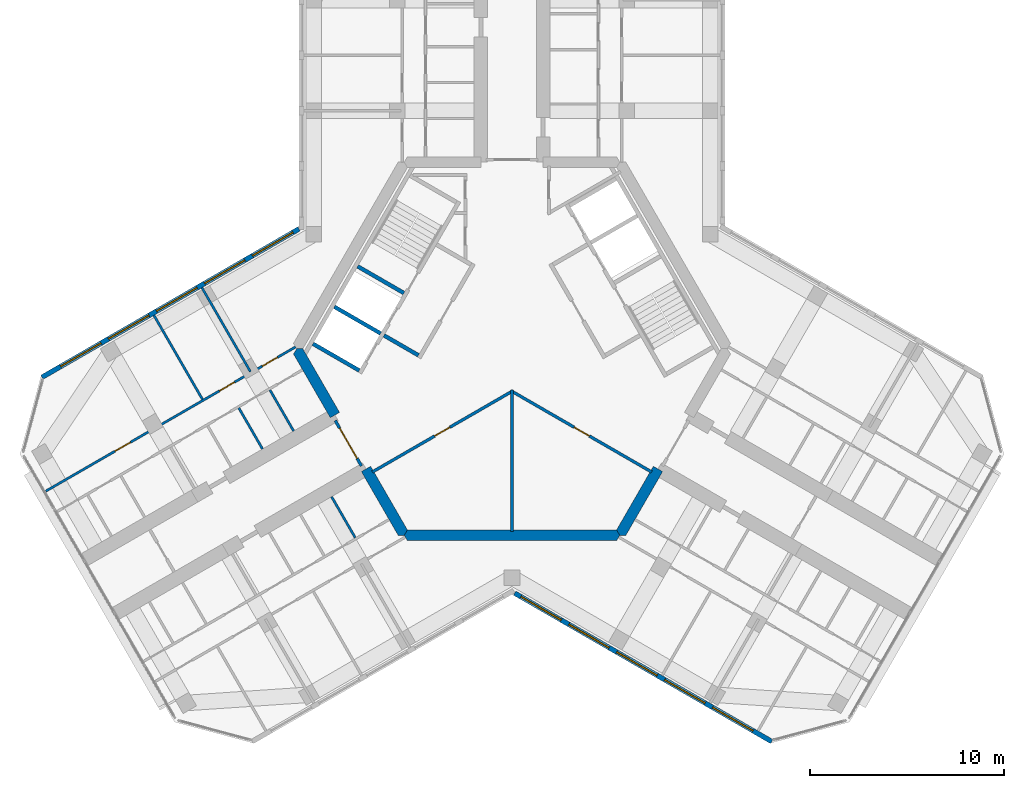
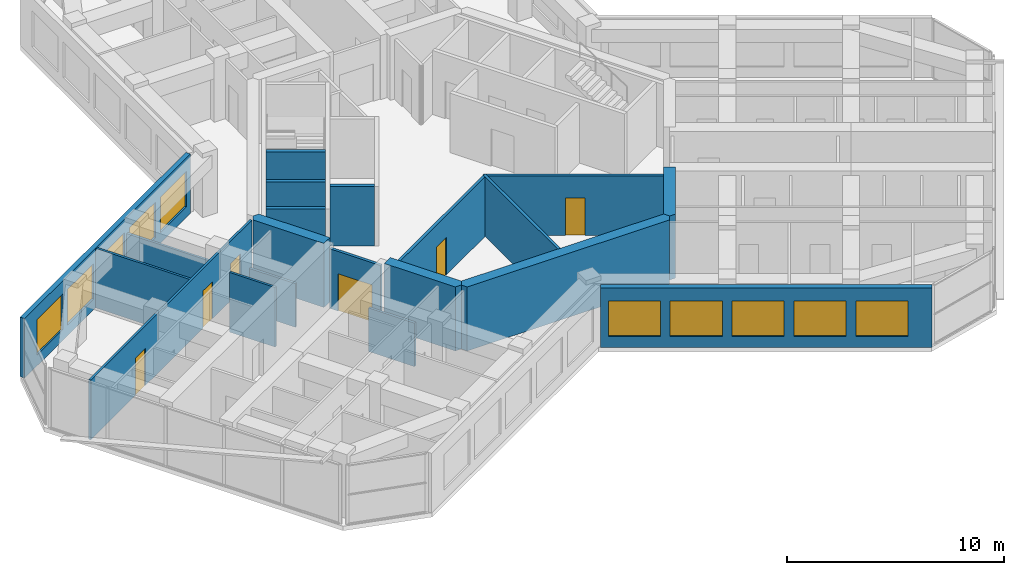
# One storey, part 8 of 14: 20 walls, 10 windows, 6 doors, 16 openings.
"""IFC4 building model written with IfcOpenShell, lengths in metres."""

from ifc_helpers import new_model, si_unit, direction, frame, frame_2d, origin, place, context, subcontext, project, spatial, polyline, rectangle, outline, extrude, material, layer, layer_set, type_object, element, fill, save


model = new_model("IFC4")

# Units and contexts
model_context = context("Model", 3, precision=1e-05, world=origin(), true_north=direction((0.0, 1.0)))
body_context = subcontext(model_context, "Body", "Model", "MODEL_VIEW")
ifc_project = project(units=[si_unit("LENGTHUNIT", "METRE"), si_unit("AREAUNIT", "SQUARE_METRE"), si_unit("VOLUMEUNIT", "CUBIC_METRE"), si_unit("PLANEANGLEUNIT", "RADIAN"), si_unit("MASSUNIT", "GRAM", prefix="KILO")], contexts=[model_context])

# Site, building, storey
site_placement = place(None, origin())
site = spatial("IfcSite", under=ifc_project, at=site_placement, CompositionType="ELEMENT")
building_placement = place(site_placement, origin())
building = spatial("IfcBuilding", under=site, at=building_placement, Name="Kosmar Iwan School Tower", CompositionType="ELEMENT")
storey_placement = place(building_placement, frame((0.0, 0.0, 278.199951171875)))
storey = spatial("IfcBuildingStorey", under=building, at=storey_placement, Name="L70", CompositionType="ELEMENT", Elevation=278.199951171875)

# Wall
ifc_material_1 = material(Name="Gypsum board on steel studs, fire-rated", Category="steel")
ifc_layer_1 = layer(ifc_material_1, 0.14990234375)
ifc_layer_set_1 = layer_set([ifc_layer_1], Name="Core room partition 150")
wall_type_1 = type_object("IfcWallType", Name="Core room partition 150", PredefinedType="PARTITIONING", material=ifc_layer_set_1)
wall_1_placement = place(storey_placement, frame((0.0, -9.39501953125, 0.0), z_axis=(0.0, 0.0, 1.0), x_axis=(0.0, 1.0, 0.0)))
element("IfcWall", 1, at=wall_1_placement, inside=storey, type_object=wall_type_1, Name="Core room partition L70-CW5", PredefinedType="PARTITIONING", context=body_context, shape_type="SweptSolid", body=[
    extrude(rectangle(XDim=7.276123046875, YDim=0.14990234375, at=frame_2d((3.63818359375, 0.0))), origin(), (0.0, 0.0, 1.0), 3.35009765625),
])

# Wall, opening, door
wall_2_placement = place(storey_placement, frame((-0.06494140625, -2.156494140625, 0.0), z_axis=(0.0, 0.0, 1.0), x_axis=(0.866023893041, -0.500002616675, 0.0)))
wall_2 = element("IfcWall", 2, at=wall_2_placement, inside=storey, type_object=wall_type_1, Name="Core room partition L70-CW6", PredefinedType="PARTITIONING", context=body_context, shape_type="SweptSolid", body=[
    extrude(rectangle(XDim=8.373046875, YDim=0.14990234375, at=frame_2d((4.1865234375, 0.0))), origin(), (0.0, 0.0, 1.0), 3.35009765625),
])
opening_1_placement = place(wall_2_placement, frame((3.77197265625, 0.0, 0.0)))
opening_1 = element("IfcOpeningElement", 3, at=opening_1_placement, cuts=wall_2, Name="Opening D14", PredefinedType="OPENING", context=body_context, shape_type="SweptSolid", body=[
    extrude(rectangle(XDim=0.89990234375, YDim=2.10009765625, at=frame_2d((0.449951171875, 1.050048828125))), frame((0.0, 0.0869140625, 0.0), z_axis=(0.0, -1.0, 0.0), x_axis=(1.0, 0.0, 0.0)), (0.0, 0.0, 1.0), 0.173828125),
])
ifc_material_2 = material(Name="Timber fire door in steel frame", Category="steel")
door_type_1 = type_object("IfcDoorType", Name="Core room door 900x2100", OperationType="SINGLE_SWING_LEFT", PredefinedType="DOOR", material=ifc_material_2)
door_1_placement = place(opening_1_placement, origin())
door_1 = element("IfcDoor", 4, at=door_1_placement, inside=storey, type_object=door_type_1, Name="Parcel room door L70 3", OperationType="SINGLE_SWING_RIGHT", OverallHeight=2.10009765625, OverallWidth=0.89990234375, PredefinedType="DOOR", context=body_context, shape_type="SweptSolid", body=[
    extrude(rectangle(XDim=0.89990234375, YDim=2.10009765625, at=frame_2d((0.449951171875, 1.050048828125))), frame((0.0, 0.02490234375, 0.0), z_axis=(0.0, -1.0, 0.0), x_axis=(1.0, 0.0, 0.0)), (0.0, 0.0, 1.0), 0.050048828125),
])
fill(opening_1, door_1)

wall_3_placement = place(storey_placement, frame((-7.186279296875, -6.343017578125, 0.0), z_axis=(0.0, 0.0, 1.0), x_axis=(0.866023893041, 0.500002616675, 0.0)))
wall_3 = element("IfcWall", 5, at=wall_3_placement, inside=storey, type_object=wall_type_1, Name="Core room partition L70-CW7", PredefinedType="PARTITIONING", context=body_context, shape_type="SweptSolid", body=[
    extrude(rectangle(XDim=8.373046875, YDim=0.14990234375, at=frame_2d((4.1865234375, 0.0))), origin(), (0.0, 0.0, 1.0), 3.35009765625),
])
opening_2_placement = place(wall_3_placement, frame((3.701904296875, 0.0, 0.0)))
opening_2 = element("IfcOpeningElement", 6, at=opening_2_placement, cuts=wall_3, Name="Opening D14", PredefinedType="OPENING", context=body_context, shape_type="SweptSolid", body=[
    extrude(rectangle(XDim=0.89990234375, YDim=2.10009765625, at=frame_2d((0.449951171875, 1.050048828125))), frame((0.0, 0.0869140625, 0.0), z_axis=(0.0, -1.0, 0.0), x_axis=(1.0, 0.0, 0.0)), (0.0, 0.0, 1.0), 0.173828125),
])
door_2_placement = place(opening_2_placement, origin())
door_2 = element("IfcDoor", 7, at=door_2_placement, inside=storey, type_object=door_type_1, Name="Residents' laundry room door L70 4", OperationType="SINGLE_SWING_LEFT", OverallHeight=2.10009765625, OverallWidth=0.89990234375, PredefinedType="DOOR", context=body_context, shape_type="SweptSolid", body=[
    extrude(rectangle(XDim=0.89990234375, YDim=2.10009765625, at=frame_2d((0.449951171875, 1.050048828125))), frame((0.0, 0.02490234375, 0.0), z_axis=(0.0, -1.0, 0.0), x_axis=(1.0, 0.0, 0.0)), (0.0, 0.0, 1.0), 0.050048828125),
])
fill(opening_2, door_2)

# Walls
ifc_material_3 = material(Name="Concrete C50/60", Category="concrete")
ifc_layer_2 = layer(ifc_material_3, 0.550048828125)
ifc_layer_set_2 = layer_set([ifc_layer_2], Name="Core wall 550")
wall_type_2 = type_object("IfcWallType", Name="Core wall 550", PredefinedType="SHEAR", material=ifc_layer_set_2)
wall_4_placement = place(storey_placement, origin())
element("IfcWall", 8, at=wall_4_placement, inside=storey, type_object=wall_type_2, Name="Core wall F210a", PredefinedType="SHEAR", context=body_context, shape_type="SweptSolid", body=[
    extrude(outline(polyline([(-9.35205078125, -3.5517578125), (-8.875732421875, -3.27685546875), (-10.767578125, 0.0), (-11.085205078125, 0.0), (-11.243896484375, -0.27490234375), (-9.35205078125, -3.5517578125)])), origin(), (0.0, 0.0, 1.0), 3.60009765625),
])
wall_5_placement = place(storey_placement, origin())
element("IfcWall", 9, at=wall_5_placement, inside=storey, type_object=wall_type_2, Name="Core wall F210b", PredefinedType="SHEAR", context=body_context, shape_type="SweptSolid", body=[
    extrude(outline(polyline([(-5.860107421875, -9.60009765625), (-5.54248046875, -9.60009765625), (-5.3837890625, -9.324951171875), (-7.275634765625, -6.048095703125), (-7.751953125, -6.3232421875), (-5.860107421875, -9.60009765625)])), origin(), (0.0, 0.0, 1.0), 3.60009765625),
])
wall_6_placement = place(storey_placement, origin())
element("IfcWall", 10, at=wall_6_placement, inside=storey, type_object=wall_type_2, Name="Core wall F270", PredefinedType="SHEAR", context=body_context, shape_type="SweptSolid", body=[
    extrude(outline(polyline([(-5.3837890625, -9.875), (5.3837890625, -9.875), (5.54248046875, -9.60009765625), (5.3837890625, -9.324951171875), (-5.3837890625, -9.324951171875), (-5.54248046875, -9.60009765625), (-5.3837890625, -9.875)])), origin(), (0.0, 0.0, 1.0), 3.60009765625),
])
wall_7_placement = place(storey_placement, origin())
element("IfcWall", 11, at=wall_7_placement, inside=storey, type_object=wall_type_2, Name="Core wall F330a", PredefinedType="SHEAR", context=body_context, shape_type="SweptSolid", body=[
    extrude(outline(polyline([(5.54248046875, -9.60009765625), (5.860107421875, -9.60009765625), (7.751953125, -6.3232421875), (7.275634765625, -6.048095703125), (5.3837890625, -9.324951171875), (5.54248046875, -9.60009765625)])), origin(), (0.0, 0.0, 1.0), 3.60009765625),
])

# Wall, opening, door
ifc_material_4 = material(Name="Steel framed glazed screen", Category="steel")
ifc_layer_3 = layer(ifc_material_4, 0.14990234375)
ifc_layer_set_3 = layer_set([ifc_layer_3], Name="Corridor screen wall 150")
wall_type_3 = type_object("IfcWallType", Name="Corridor screen wall 150", PredefinedType="PARTITIONING", material=ifc_layer_set_3)
wall_8_placement = place(storey_placement, frame((-9.09716796875, -3.693359375, 0.0), z_axis=(0.0, 0.0, 1.0), x_axis=(0.50000943426, -0.866019956843, 0.0)))
wall_8 = element("IfcWall", 12, at=wall_8_placement, inside=storey, type_object=wall_type_3, Name="Corridor screen B L70", PredefinedType="PARTITIONING", context=body_context, shape_type="SweptSolid", body=[
    extrude(rectangle(XDim=2.7001953125, YDim=0.14990234375, at=frame_2d((1.35009765625, 0.0))), origin(), (0.0, 0.0, 1.0), 3.35009765625),
])
opening_3_placement = place(wall_8_placement, frame((0.449951171875, 0.0, 0.0)))
opening_3 = element("IfcOpeningElement", 13, at=opening_3_placement, cuts=wall_8, Name="Opening D9", PredefinedType="OPENING", context=body_context, shape_type="SweptSolid", body=[
    extrude(rectangle(XDim=1.800048828125, YDim=2.10009765625, at=frame_2d((0.89990234375, 1.050048828125))), frame((0.0, 0.0869140625, 0.0), z_axis=(0.0, -1.0, 0.0), x_axis=(1.0, 0.0, 0.0)), (0.0, 0.0, 1.0), 0.173828125),
])
ifc_material_5 = material(Name="Steel framed glazed smoke door", Category="steel")
door_type_2 = type_object("IfcDoorType", Name="Corridor smoke door pair 1800x2100", OperationType="DOUBLE_DOOR_DOUBLE_SWING", PredefinedType="DOOR", material=ifc_material_5)
door_3_placement = place(opening_3_placement, origin())
door_3 = element("IfcDoor", 14, at=door_3_placement, inside=storey, type_object=door_type_2, Name="Corridor doors B L70", OperationType="DOUBLE_DOOR_DOUBLE_SWING", OverallHeight=2.10009765625, OverallWidth=1.800048828125, PredefinedType="DOOR", context=body_context, shape_type="SweptSolid", body=[
    extrude(rectangle(XDim=1.800048828125, YDim=2.10009765625, at=frame_2d((0.89990234375, 1.050048828125))), frame((0.0, 0.02490234375, 0.0), z_axis=(0.0, -1.0, 0.0), x_axis=(1.0, 0.0, 0.0)), (0.0, 0.0, 1.0), 0.050048828125),
])
fill(opening_3, door_3)

# Wall
ifc_material_6 = material(Name="Gypsum board on steel studs", Category="steel")
ifc_layer_4 = layer(ifc_material_6, 0.1201171875)
ifc_layer_set_4 = layer_set([ifc_layer_4], Name="Dwelling partition 120")
wall_type_4 = type_object("IfcWallType", Name="Dwelling partition 120", PredefinedType="PARTITIONING", material=ifc_layer_set_4)
wall_9_placement = place(storey_placement, frame((-9.287353515625, -7.61376953125, 0.0), z_axis=(0.0, 0.0, 1.0), x_axis=(0.500002508028, -0.866023955769, 0.0)))
element("IfcWall", 15, at=wall_9_placement, inside=storey, type_object=wall_type_4, Name="Partition L70-BL1-Y1", PredefinedType="PARTITIONING", context=body_context, shape_type="SweptSolid", body=[
    extrude(rectangle(XDim=2.43994140625, YDim=0.1201171875, at=frame_2d((1.219970703125, 0.0))), origin(), (0.0, 0.0, 1.0), 2.449951171875),
])

# Wall, openings, doors
wall_10_placement = place(storey_placement, frame((-11.138916015625, 0.093017578125, 0.0), z_axis=(0.0, 0.0, 1.0), x_axis=(-0.866030301974, -0.499991515992, 0.0)))
wall_10 = element("IfcWall", 16, at=wall_10_placement, inside=storey, type_object=wall_type_4, Name="Partition L70-BR1-W2", PredefinedType="PARTITIONING", context=body_context, shape_type="SweptSolid", body=[
    extrude(rectangle(XDim=14.844970703125, YDim=0.1201171875, at=frame_2d((7.42236328125, 0.0))), origin(), (0.0, 0.0, 1.0), 3.35009765625),
])
opening_4_placement = place(wall_10_placement, frame((1.074951171875, 0.0, 0.0)))
opening_4 = element("IfcOpeningElement", 17, at=opening_4_placement, cuts=wall_10, Name="Opening D2", PredefinedType="OPENING", context=body_context, shape_type="SweptSolid", body=[
    extrude(rectangle(XDim=0.89990234375, YDim=2.10009765625, at=frame_2d((0.449951171875, 1.050048828125))), frame((0.0, 0.072021484375, 0.0), z_axis=(0.0, -1.0, 0.0), x_axis=(1.0, 0.0, 0.0)), (0.0, 0.0, 1.0), 0.14404296875),
])
opening_5_placement = place(wall_10_placement, frame((3.625, 0.0, 0.0)))
opening_5 = element("IfcOpeningElement", 18, at=opening_5_placement, cuts=wall_10, Name="Opening D2", PredefinedType="OPENING", context=body_context, shape_type="SweptSolid", body=[
    extrude(rectangle(XDim=0.89990234375, YDim=2.10009765625, at=frame_2d((0.449951171875, 1.050048828125))), frame((0.0, 0.072021484375, 0.0), z_axis=(0.0, -1.0, 0.0), x_axis=(1.0, 0.0, 0.0)), (0.0, 0.0, 1.0), 0.14404296875),
])
opening_6_placement = place(wall_10_placement, frame((9.824951171875, 0.0, 0.0)))
opening_6 = element("IfcOpeningElement", 19, at=opening_6_placement, cuts=wall_10, Name="Opening D2", PredefinedType="OPENING", context=body_context, shape_type="SweptSolid", body=[
    extrude(rectangle(XDim=0.89990234375, YDim=2.10009765625, at=frame_2d((0.449951171875, 1.050048828125))), frame((0.0, 0.072021484375, 0.0), z_axis=(0.0, -1.0, 0.0), x_axis=(1.0, 0.0, 0.0)), (0.0, 0.0, 1.0), 0.14404296875),
])
ifc_material_7 = material(Name="Timber door in timber frame", Category="wood")
door_type_3 = type_object("IfcDoorType", Name="Internal door 900x2100", OperationType="SINGLE_SWING_LEFT", PredefinedType="DOOR", material=ifc_material_7)
door_4_placement = place(opening_4_placement, origin())
door_4 = element("IfcDoor", 20, at=door_4_placement, inside=storey, type_object=door_type_3, Name="Bedroom 1 door L70-BR1-F1", OperationType="SINGLE_SWING_LEFT", OverallHeight=2.10009765625, OverallWidth=0.89990234375, PredefinedType="DOOR", context=body_context, shape_type="SweptSolid", body=[
    extrude(rectangle(XDim=0.89990234375, YDim=2.10009765625, at=frame_2d((0.449951171875, 1.050048828125))), frame((0.0, 0.02490234375, 0.0), z_axis=(0.0, -1.0, 0.0), x_axis=(1.0, 0.0, 0.0)), (0.0, 0.0, 1.0), 0.050048828125),
])
fill(opening_4, door_4)
door_5_placement = place(opening_5_placement, origin())
door_5 = element("IfcDoor", 21, at=door_5_placement, inside=storey, type_object=door_type_3, Name="Study door L70-BR1-F2", OperationType="SINGLE_SWING_LEFT", OverallHeight=2.10009765625, OverallWidth=0.89990234375, PredefinedType="DOOR", context=body_context, shape_type="SweptSolid", body=[
    extrude(rectangle(XDim=0.89990234375, YDim=2.10009765625, at=frame_2d((0.449951171875, 1.050048828125))), frame((0.0, 0.02490234375, 0.0), z_axis=(0.0, -1.0, 0.0), x_axis=(1.0, 0.0, 0.0)), (0.0, 0.0, 1.0), 0.050048828125),
])
fill(opening_5, door_5)
door_6_placement = place(opening_6_placement, origin())
door_6 = element("IfcDoor", 22, at=door_6_placement, inside=storey, type_object=door_type_3, Name="Living room and kitchen door L70-BR1-F3", OperationType="SINGLE_SWING_RIGHT", OverallHeight=2.10009765625, OverallWidth=0.89990234375, PredefinedType="DOOR", context=body_context, shape_type="SweptSolid", body=[
    extrude(rectangle(XDim=0.89990234375, YDim=2.10009765625, at=frame_2d((0.449951171875, 1.050048828125))), frame((0.0, 0.02490234375, 0.0), z_axis=(0.0, -1.0, 0.0), x_axis=(1.0, 0.0, 0.0)), (0.0, 0.0, 1.0), 0.050048828125),
])
fill(opening_6, door_6)

# Walls
wall_11_placement = place(storey_placement, frame((-13.4638671875, -1.179931640625, 0.0), z_axis=(0.0, 0.0, 1.0), x_axis=(-0.499975153383, 0.86603974851, 0.0)))
element("IfcWall", 23, at=wall_11_placement, inside=storey, type_object=wall_type_4, Name="Partition L70-BR1-X1", PredefinedType="PARTITIONING", context=body_context, shape_type="SweptSolid", body=[
    extrude(rectangle(XDim=4.989990234375, YDim=0.1201171875, at=frame_2d((2.4951171875, 0.0))), origin(), (0.0, 0.0, 1.0), 2.449951171875),
])
wall_12_placement = place(storey_placement, frame((-15.931884765625, -2.60498046875, 0.0), z_axis=(0.0, 0.0, 1.0), x_axis=(-0.500011847778, 0.866018563358, 0.0)))
element("IfcWall", 24, at=wall_12_placement, inside=storey, type_object=wall_type_4, Name="Partition L70-BR1-X2", PredefinedType="PARTITIONING", context=body_context, shape_type="SweptSolid", body=[
    extrude(rectangle(XDim=4.990234375, YDim=0.1201171875, at=frame_2d((2.4951171875, 0.0))), origin(), (0.0, 0.0, 1.0), 3.35009765625),
])
wall_13_placement = place(storey_placement, frame((-11.2373046875, -4.236328125, 0.0), z_axis=(0.0, 0.0, 1.0), x_axis=(-0.500034220881, 0.866005645448, 0.0)))
element("IfcWall", 25, at=wall_13_placement, inside=storey, type_object=wall_type_4, Name="Partition L70-BR1-Y1", PredefinedType="PARTITIONING", context=body_context, shape_type="SweptSolid", body=[
    extrude(rectangle(XDim=2.440185546875, YDim=0.1201171875, at=frame_2d((1.22021484375, 0.0))), origin(), (0.0, 0.0, 1.0), 2.449951171875),
])
wall_14_placement = place(storey_placement, frame((-12.839599609375, -5.161376953125, 0.0), z_axis=(0.0, 0.0, 1.0), x_axis=(-0.499959183527, 0.866048967903, 0.0)))
element("IfcWall", 26, at=wall_14_placement, inside=storey, type_object=wall_type_4, Name="Partition L70-BR1-Y2", PredefinedType="PARTITIONING", context=body_context, shape_type="SweptSolid", body=[
    extrude(rectangle(XDim=2.440185546875, YDim=0.1201171875, at=frame_2d((1.22021484375, 0.0))), origin(), (0.0, 0.0, 1.0), 3.35009765625),
])

# Wall, openings, windows
ifc_material_8 = material(Name="Black aluminium rainscreen on insulated framing", Category="aluminium")
ifc_layer_5 = layer(ifc_material_8, 0.25)
ifc_layer_set_5 = layer_set([ifc_layer_5], Name="External wall rainscreen 250")
wall_type_5 = type_object("IfcWallType", Name="External wall rainscreen 250", PredefinedType="SOLIDWALL", material=ifc_layer_set_5)
wall_15_placement = place(storey_placement, frame((0.137939453125, -12.5791015625, 0.0), z_axis=(0.0, 0.0, 1.0), x_axis=(0.866025637253, -0.499999595621, 0.0)))
wall_15 = element("IfcWall", 27, at=wall_15_placement, inside=storey, type_object=wall_type_5, Name="External wall CR L70", PredefinedType="SOLIDWALL", context=body_context, shape_type="SweptSolid", body=[
    extrude(rectangle(XDim=15.2763671875, YDim=0.25, at=frame_2d((7.63818359375, 0.0))), origin(), (0.0, 0.0, 1.0), 3.35009765625),
])
opening_7_placement = place(wall_15_placement, frame((0.365966796875, 0.0, 0.60009765625)))
opening_7 = element("IfcOpeningElement", 28, at=opening_7_placement, cuts=wall_15, Name="Opening W6", PredefinedType="OPENING", context=body_context, shape_type="SweptSolid", body=[
    extrude(rectangle(XDim=2.39990234375, YDim=2.0, at=frame_2d((1.199951171875, 1.0))), frame((0.0, 0.136962890625, 0.0), z_axis=(0.0, -1.0, 0.0), x_axis=(1.0, 0.0, 0.0)), (0.0, 0.0, 1.0), 0.27392578125),
])
opening_8_placement = place(wall_15_placement, frame((3.216064453125, 0.0, 0.60009765625)))
opening_8 = element("IfcOpeningElement", 29, at=opening_8_placement, cuts=wall_15, Name="Opening W6", PredefinedType="OPENING", context=body_context, shape_type="SweptSolid", body=[
    extrude(rectangle(XDim=2.39990234375, YDim=2.0, at=frame_2d((1.199951171875, 1.0))), frame((0.0, 0.136962890625, 0.0), z_axis=(0.0, -1.0, 0.0), x_axis=(1.0, 0.0, 0.0)), (0.0, 0.0, 1.0), 0.27392578125),
])
opening_9_placement = place(wall_15_placement, frame((6.06591796875, 0.0, 0.60009765625)))
opening_9 = element("IfcOpeningElement", 30, at=opening_9_placement, cuts=wall_15, Name="Opening W6", PredefinedType="OPENING", context=body_context, shape_type="SweptSolid", body=[
    extrude(rectangle(XDim=2.39990234375, YDim=2.0, at=frame_2d((1.199951171875, 1.0))), frame((0.0, 0.136962890625, 0.0), z_axis=(0.0, -1.0, 0.0), x_axis=(1.0, 0.0, 0.0)), (0.0, 0.0, 1.0), 0.27392578125),
])
opening_10_placement = place(wall_15_placement, frame((8.916015625, 0.0, 0.60009765625)))
opening_10 = element("IfcOpeningElement", 31, at=opening_10_placement, cuts=wall_15, Name="Opening W6", PredefinedType="OPENING", context=body_context, shape_type="SweptSolid", body=[
    extrude(rectangle(XDim=2.39990234375, YDim=2.0, at=frame_2d((1.199951171875, 1.0))), frame((0.0, 0.136962890625, 0.0), z_axis=(0.0, -1.0, 0.0), x_axis=(1.0, 0.0, 0.0)), (0.0, 0.0, 1.0), 0.27392578125),
])
opening_11_placement = place(wall_15_placement, frame((11.76611328125, 0.0, 0.60009765625)))
opening_11 = element("IfcOpeningElement", 32, at=opening_11_placement, cuts=wall_15, Name="Opening W6", PredefinedType="OPENING", context=body_context, shape_type="SweptSolid", body=[
    extrude(rectangle(XDim=2.39990234375, YDim=2.0, at=frame_2d((1.199951171875, 1.0))), frame((0.0, 0.136962890625, 0.0), z_axis=(0.0, -1.0, 0.0), x_axis=(1.0, 0.0, 0.0)), (0.0, 0.0, 1.0), 0.27392578125),
])
ifc_material_9 = material(Name="Black aluminium frame with dark triple glazing", Category="aluminium")
window_type = type_object("IfcWindowType", Name="Window 2400x2000", PartitioningType="SINGLE_PANEL", PredefinedType="WINDOW", material=ifc_material_9)
window_1_placement = place(opening_7_placement, origin())
window_1 = element("IfcWindow", 33, at=window_1_placement, inside=storey, type_object=window_type, Name="Window CR L70 -1", OverallHeight=2.0, OverallWidth=2.39990234375, PartitioningType="SINGLE_PANEL", PredefinedType="WINDOW", context=body_context, shape_type="SweptSolid", body=[
    extrude(rectangle(XDim=2.39990234375, YDim=2.0, at=frame_2d((1.199951171875, 1.0))), frame((0.0, 0.030029296875, 0.0), z_axis=(0.0, -1.0, 0.0), x_axis=(1.0, 0.0, 0.0)), (0.0, 0.0, 1.0), 0.06005859375),
])
fill(opening_7, window_1)
window_2_placement = place(opening_8_placement, origin())
window_2 = element("IfcWindow", 34, at=window_2_placement, inside=storey, type_object=window_type, Name="Window CR L70 0", OverallHeight=2.0, OverallWidth=2.39990234375, PartitioningType="SINGLE_PANEL", PredefinedType="WINDOW", context=body_context, shape_type="SweptSolid", body=[
    extrude(rectangle(XDim=2.39990234375, YDim=2.0, at=frame_2d((1.199951171875, 1.0))), frame((0.0, 0.030029296875, 0.0), z_axis=(0.0, -1.0, 0.0), x_axis=(1.0, 0.0, 0.0)), (0.0, 0.0, 1.0), 0.06005859375),
])
fill(opening_8, window_2)
window_3_placement = place(opening_9_placement, origin())
window_3 = element("IfcWindow", 35, at=window_3_placement, inside=storey, type_object=window_type, Name="Window CR L70 1", OverallHeight=2.0, OverallWidth=2.39990234375, PartitioningType="SINGLE_PANEL", PredefinedType="WINDOW", context=body_context, shape_type="SweptSolid", body=[
    extrude(rectangle(XDim=2.39990234375, YDim=2.0, at=frame_2d((1.199951171875, 1.0))), frame((0.0, 0.030029296875, 0.0), z_axis=(0.0, -1.0, 0.0), x_axis=(1.0, 0.0, 0.0)), (0.0, 0.0, 1.0), 0.06005859375),
])
fill(opening_9, window_3)
window_4_placement = place(opening_10_placement, origin())
window_4 = element("IfcWindow", 36, at=window_4_placement, inside=storey, type_object=window_type, Name="Window CR L70 2", OverallHeight=2.0, OverallWidth=2.39990234375, PartitioningType="SINGLE_PANEL", PredefinedType="WINDOW", context=body_context, shape_type="SweptSolid", body=[
    extrude(rectangle(XDim=2.39990234375, YDim=2.0, at=frame_2d((1.199951171875, 1.0))), frame((0.0, 0.030029296875, 0.0), z_axis=(0.0, -1.0, 0.0), x_axis=(1.0, 0.0, 0.0)), (0.0, 0.0, 1.0), 0.06005859375),
])
fill(opening_10, window_4)
window_5_placement = place(opening_11_placement, origin())
window_5 = element("IfcWindow", 37, at=window_5_placement, inside=storey, type_object=window_type, Name="Window CR L70 3", OverallHeight=2.0, OverallWidth=2.39990234375, PartitioningType="SINGLE_PANEL", PredefinedType="WINDOW", context=body_context, shape_type="SweptSolid", body=[
    extrude(rectangle(XDim=2.39990234375, YDim=2.0, at=frame_2d((1.199951171875, 1.0))), frame((0.0, 0.030029296875, 0.0), z_axis=(0.0, -1.0, 0.0), x_axis=(1.0, 0.0, 0.0)), (0.0, 0.0, 1.0), 0.06005859375),
])
fill(opening_11, window_5)

wall_16_placement = place(storey_placement, frame((-10.962890625, 6.170166015625, 0.0), z_axis=(0.0, 0.0, 1.0), x_axis=(-0.866025637253, -0.499999595621, 0.0)))
wall_16 = element("IfcWall", 38, at=wall_16_placement, inside=storey, type_object=wall_type_5, Name="External wall BR L70", PredefinedType="SOLIDWALL", context=body_context, shape_type="SweptSolid", body=[
    extrude(rectangle(XDim=15.2763671875, YDim=0.25, at=frame_2d((7.63818359375, 0.0))), origin(), (0.0, 0.0, 1.0), 3.35009765625),
])
opening_12_placement = place(wall_16_placement, frame((0.365966796875, 0.0, 0.60009765625)))
opening_12 = element("IfcOpeningElement", 39, at=opening_12_placement, cuts=wall_16, Name="Opening W6", PredefinedType="OPENING", context=body_context, shape_type="SweptSolid", body=[
    extrude(rectangle(XDim=2.39990234375, YDim=2.0, at=frame_2d((1.199951171875, 1.0))), frame((0.0, 0.136962890625, 0.0), z_axis=(0.0, -1.0, 0.0), x_axis=(1.0, 0.0, 0.0)), (0.0, 0.0, 1.0), 0.27392578125),
])
opening_13_placement = place(wall_16_placement, frame((3.216064453125, 0.0, 0.60009765625)))
opening_13 = element("IfcOpeningElement", 40, at=opening_13_placement, cuts=wall_16, Name="Opening W6", PredefinedType="OPENING", context=body_context, shape_type="SweptSolid", body=[
    extrude(rectangle(XDim=2.39990234375, YDim=2.0, at=frame_2d((1.199951171875, 1.0))), frame((0.0, 0.136962890625, 0.0), z_axis=(0.0, -1.0, 0.0), x_axis=(1.0, 0.0, 0.0)), (0.0, 0.0, 1.0), 0.27392578125),
])
opening_14_placement = place(wall_16_placement, frame((6.06591796875, 0.0, 0.60009765625)))
opening_14 = element("IfcOpeningElement", 41, at=opening_14_placement, cuts=wall_16, Name="Opening W6", PredefinedType="OPENING", context=body_context, shape_type="SweptSolid", body=[
    extrude(rectangle(XDim=2.39990234375, YDim=2.0, at=frame_2d((1.199951171875, 1.0))), frame((0.0, 0.136962890625, 0.0), z_axis=(0.0, -1.0, 0.0), x_axis=(1.0, 0.0, 0.0)), (0.0, 0.0, 1.0), 0.27392578125),
])
opening_15_placement = place(wall_16_placement, frame((8.916015625, 0.0, 0.60009765625)))
opening_15 = element("IfcOpeningElement", 42, at=opening_15_placement, cuts=wall_16, Name="Opening W6", PredefinedType="OPENING", context=body_context, shape_type="SweptSolid", body=[
    extrude(rectangle(XDim=2.39990234375, YDim=2.0, at=frame_2d((1.199951171875, 1.0))), frame((0.0, 0.136962890625, 0.0), z_axis=(0.0, -1.0, 0.0), x_axis=(1.0, 0.0, 0.0)), (0.0, 0.0, 1.0), 0.27392578125),
])
opening_16_placement = place(wall_16_placement, frame((11.76611328125, 0.0, 0.60009765625)))
opening_16 = element("IfcOpeningElement", 43, at=opening_16_placement, cuts=wall_16, Name="Opening W6", PredefinedType="OPENING", context=body_context, shape_type="SweptSolid", body=[
    extrude(rectangle(XDim=2.39990234375, YDim=2.0, at=frame_2d((1.199951171875, 1.0))), frame((0.0, 0.136962890625, 0.0), z_axis=(0.0, -1.0, 0.0), x_axis=(1.0, 0.0, 0.0)), (0.0, 0.0, 1.0), 0.27392578125),
])
window_6_placement = place(opening_12_placement, origin())
window_6 = element("IfcWindow", 44, at=window_6_placement, inside=storey, type_object=window_type, Name="Window BR L70 -1", OverallHeight=2.0, OverallWidth=2.39990234375, PartitioningType="SINGLE_PANEL", PredefinedType="WINDOW", context=body_context, shape_type="SweptSolid", body=[
    extrude(rectangle(XDim=2.39990234375, YDim=2.0, at=frame_2d((1.199951171875, 1.0))), frame((0.0, 0.030029296875, 0.0), z_axis=(0.0, -1.0, 0.0), x_axis=(1.0, 0.0, 0.0)), (0.0, 0.0, 1.0), 0.06005859375),
])
fill(opening_12, window_6)
window_7_placement = place(opening_13_placement, origin())
window_7 = element("IfcWindow", 45, at=window_7_placement, inside=storey, type_object=window_type, Name="Window BR L70 0", OverallHeight=2.0, OverallWidth=2.39990234375, PartitioningType="SINGLE_PANEL", PredefinedType="WINDOW", context=body_context, shape_type="SweptSolid", body=[
    extrude(rectangle(XDim=2.39990234375, YDim=2.0, at=frame_2d((1.199951171875, 1.0))), frame((0.0, 0.030029296875, 0.0), z_axis=(0.0, -1.0, 0.0), x_axis=(1.0, 0.0, 0.0)), (0.0, 0.0, 1.0), 0.06005859375),
])
fill(opening_13, window_7)
window_8_placement = place(opening_14_placement, origin())
window_8 = element("IfcWindow", 46, at=window_8_placement, inside=storey, type_object=window_type, Name="Window BR L70 1", OverallHeight=2.0, OverallWidth=2.39990234375, PartitioningType="SINGLE_PANEL", PredefinedType="WINDOW", context=body_context, shape_type="SweptSolid", body=[
    extrude(rectangle(XDim=2.39990234375, YDim=2.0, at=frame_2d((1.199951171875, 1.0))), frame((0.0, 0.030029296875, 0.0), z_axis=(0.0, -1.0, 0.0), x_axis=(1.0, 0.0, 0.0)), (0.0, 0.0, 1.0), 0.06005859375),
])
fill(opening_14, window_8)
window_9_placement = place(opening_15_placement, origin())
window_9 = element("IfcWindow", 47, at=window_9_placement, inside=storey, type_object=window_type, Name="Window BR L70 2", OverallHeight=2.0, OverallWidth=2.39990234375, PartitioningType="SINGLE_PANEL", PredefinedType="WINDOW", context=body_context, shape_type="SweptSolid", body=[
    extrude(rectangle(XDim=2.39990234375, YDim=2.0, at=frame_2d((1.199951171875, 1.0))), frame((0.0, 0.030029296875, 0.0), z_axis=(0.0, -1.0, 0.0), x_axis=(1.0, 0.0, 0.0)), (0.0, 0.0, 1.0), 0.06005859375),
])
fill(opening_15, window_9)
window_10_placement = place(opening_16_placement, origin())
window_10 = element("IfcWindow", 48, at=window_10_placement, inside=storey, type_object=window_type, Name="Window BR L70 3", OverallHeight=2.0, OverallWidth=2.39990234375, PartitioningType="SINGLE_PANEL", PredefinedType="WINDOW", context=body_context, shape_type="SweptSolid", body=[
    extrude(rectangle(XDim=2.39990234375, YDim=2.0, at=frame_2d((1.199951171875, 1.0))), frame((0.0, 0.030029296875, 0.0), z_axis=(0.0, -1.0, 0.0), x_axis=(1.0, 0.0, 0.0)), (0.0, 0.0, 1.0), 0.06005859375),
])
fill(opening_16, window_10)

# Walls
ifc_material_10 = material(Name="Concrete block masonry", Category="masonry")
ifc_layer_6 = layer(ifc_material_10, 0.199951171875)
ifc_layer_set_6 = layer_set([ifc_layer_6], Name="Fire lobby wall 200")
wall_type_6 = type_object("IfcWallType", Name="Fire lobby wall 200", PredefinedType="PARTITIONING", material=ifc_layer_set_6)
wall_17_placement = place(storey_placement, frame((-4.814208984375, -0.33837890625, 0.0), z_axis=(0.0, 0.0, 1.0), x_axis=(-0.865969381856, 0.500097020274, 0.0)))
element("IfcWall", 49, at=wall_17_placement, inside=storey, type_object=wall_type_6, Name="Firefighting lobby wall ST2", PredefinedType="PARTITIONING", context=body_context, shape_type="SweptSolid", body=[
    extrude(rectangle(XDim=2.0498046875, YDim=0.199951171875, at=frame_2d((1.02490234375, 0.0))), origin(), (0.0, 0.0, 1.0), 3.35009765625),
])
ifc_material_11 = material(Name="Concrete C50/60", Category="concrete")
ifc_layer_7 = layer(ifc_material_11, 0.199951171875)
ifc_layer_set_7 = layer_set([ifc_layer_7], Name="Lift shaft wall 200")
wall_type_7 = type_object("IfcWallType", Name="Lift shaft wall 200", PredefinedType="SHEAR", material=ifc_layer_set_7)
for number, where, z_axis, x_axis, name in (
    (50, (-6.7626953125, 0.78662109375, 0.0), (0.0, 0.0, 1.0), (-0.866027397988, 0.499996545922, 0.0), "Lift shaft wall AB 1"),
    (51, (-7.862548828125, -1.118408203125, 0.0), (0.0, 0.0, 1.0), (-0.866027397988, 0.499996545922, 0.0), "Lift shaft wall AB 2"),
):
    element("IfcWall", number, at=place(storey_placement, frame(where, z_axis=z_axis, x_axis=x_axis)), inside=storey, type_object=wall_type_7, Name=name, PredefinedType="SHEAR", context=body_context, shape_type="SweptSolid", body=[
        extrude(rectangle(XDim=2.75, YDim=0.199951171875, at=frame_2d((1.375, 0.0))), origin(), (0.0, 0.0, 1.0), 3.60009765625),
    ])
ifc_material_12 = material(Name="Concrete C50/60", Category="concrete")
ifc_layer_8 = layer(ifc_material_12, 0.199951171875)
ifc_layer_set_8 = layer_set([ifc_layer_8], Name="Stair enclosure wall 200")
wall_type_8 = type_object("IfcWallType", Name="Stair enclosure wall 200", PredefinedType="SHEAR", material=ifc_layer_set_8)
wall_18_placement = place(storey_placement, frame((-5.562744140625, 2.865234375, 0.0), z_axis=(0.0, 0.0, 1.0), x_axis=(-0.866027397988, 0.499996545922, 0.0)))
element("IfcWall", 52, at=wall_18_placement, inside=storey, type_object=wall_type_8, Name="Stair ST2 wall", PredefinedType="SHEAR", context=body_context, shape_type="SweptSolid", body=[
    extrude(rectangle(XDim=2.75, YDim=0.199951171875, at=frame_2d((1.375, 0.0))), origin(), (0.0, 0.0, 1.0), 3.60009765625),
])

save(model, "model.ifc")
